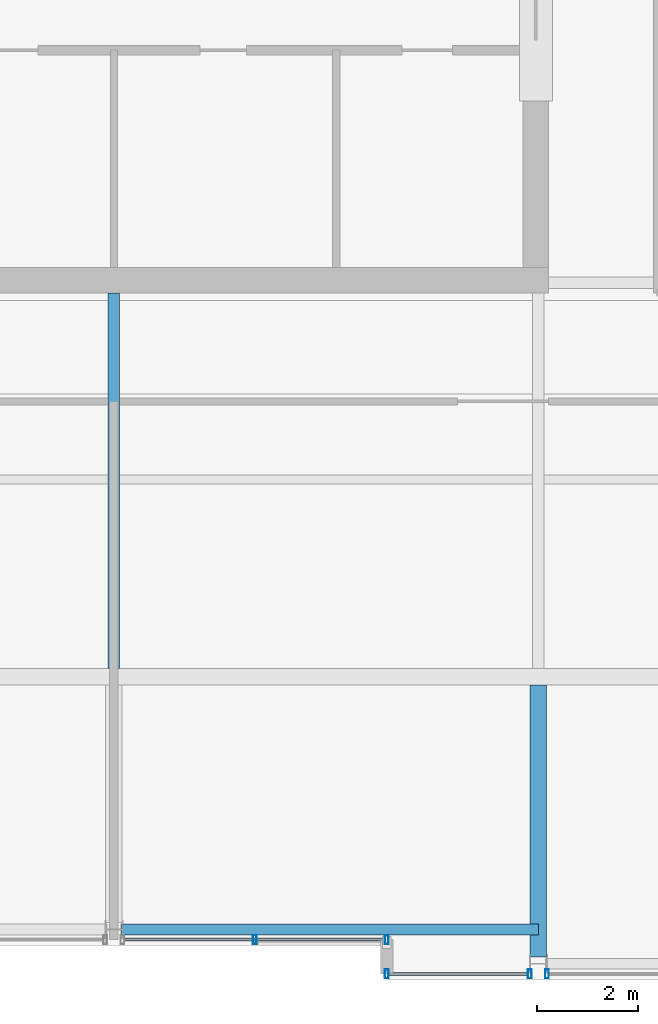
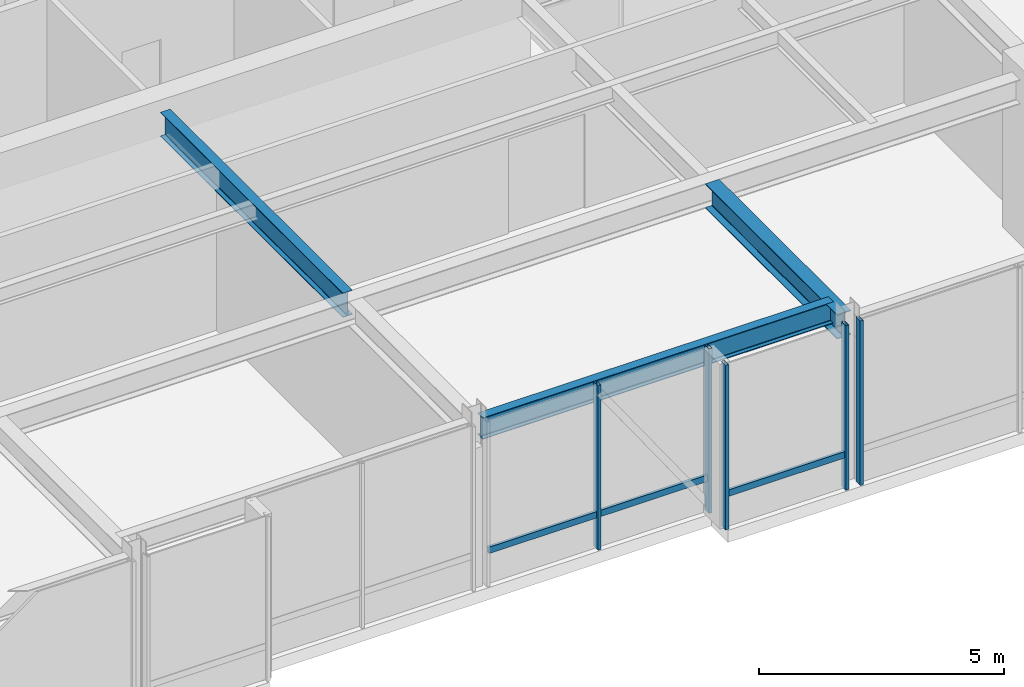
# One storey, part 10 of 34: 7 members, 3 beams, 3 elements without a shape of their own.
"""IFC4 building model written with IfcOpenShell, lengths in metres."""

from ifc_helpers import new_model, si_unit, direction, frame, origin, origin_2d, place, context, subcontext, project, spatial, hollow_rectangle, i_section, extrude, material, layer, layer_set, material_profile, profile_set, type_object, element, aggregate, save


model = new_model("IFC4")

# Units and contexts
model_context = context("Model", 3, precision=1e-05, world=origin(), true_north=direction((0.0, 1.0)))
body_context = subcontext(model_context, "Body", "Model", "MODEL_VIEW")
ifc_project = project(units=[si_unit("LENGTHUNIT", "METRE"), si_unit("AREAUNIT", "SQUARE_METRE"), si_unit("VOLUMEUNIT", "CUBIC_METRE"), si_unit("PLANEANGLEUNIT", "RADIAN"), si_unit("MASSUNIT", "GRAM", prefix="KILO")], contexts=[model_context])

# Site, building, storey
site_placement = place(None, origin())
site = spatial("IfcSite", under=ifc_project, at=site_placement, CompositionType="ELEMENT")
building_placement = place(site_placement, origin())
building = spatial("IfcBuilding", under=site, at=building_placement, Name="Drelvath Grand Hotel", CompositionType="ELEMENT")
storey_placement = place(building_placement, frame((0.0, 0.0, 294.199951171875)))
storey = spatial("IfcBuildingStorey", under=building, at=storey_placement, Name="L77", CompositionType="ELEMENT", Elevation=294.199951171875)

# Curtain wall, member
ifc_material_1 = material(Name="Platinum-Mist Anodised Aluminium Frame", Category="aluminium")
ifc_layer = layer(ifc_material_1, 0.199951171875)
ifc_layer_set = layer_set([ifc_layer], Name="Platinum-Mist Anodised Aluminium Frame")
curtain_wall_type = type_object("IfcCurtainWallType", Name="Stick Curtain Wall CW-05 Platinum Mist High-Rise", PredefinedType="NOTDEFINED", material=ifc_layer_set)
curtain_wall_1_placement = place(storey_placement, origin())
curtain_wall_1 = element("IfcCurtainWall", 1, at=curtain_wall_1_placement, inside=storey, type_object=curtain_wall_type, Name="L77 CW-05 Curtain Wall CW05-L77-SE1", PredefinedType="NOTDEFINED")
ifc_material_profile_1 = material_profile(ifc_material_1, hollow_rectangle(XDim=0.06494140625, YDim=0.159912109375, WallThickness=0.00390625, at=origin_2d()), Name="HSS160X65X4")
ifc_profile_set_1 = profile_set([ifc_material_profile_1], Name="Platinum-Mist Anodised Aluminium Frame")
member_type_1 = type_object("IfcMemberType", Name="Curtain Wall Horizontal Transom CW-05 HSS160X65X4", PredefinedType="USERDEFINED", material=ifc_profile_set_1)
member_1_placement = place(storey_placement, frame((8.18994140625, 4.919921875, 0.85009765625), z_axis=(-1.0, 0.0, 0.0), x_axis=(0.0, -1.0, 0.0)))
member_1 = element("IfcMember", 2, at=member_1_placement, type_object=member_type_1, Name="CW05-L77-SE1 Sill Transom", ObjectType="TRANSOM", PredefinedType="USERDEFINED", context=body_context, shape_type="SweptSolid", body=[
    extrude(hollow_rectangle(XDim=0.06494140625, YDim=0.159912109375, WallThickness=0.00390625, at=origin_2d()), origin(), (0.0, 0.0, 1.0), 2.75),
])

curtain_wall_2_placement = place(storey_placement, origin())
curtain_wall_2 = element("IfcCurtainWall", 3, at=curtain_wall_2_placement, inside=storey, type_object=curtain_wall_type, Name="L77 CW-05 Curtain Wall CW05-L77-SM2", PredefinedType="NOTDEFINED")
member_2_placement = place(storey_placement, frame((5.360107421875, 5.60009765625, 0.85009765625), z_axis=(-1.0, 0.0, 0.0), x_axis=(0.0, -1.0, 0.0)))
member_2 = element("IfcMember", 4, at=member_2_placement, type_object=member_type_1, Name="CW05-L77-SM2 Sill Transom", ObjectType="TRANSOM", PredefinedType="USERDEFINED", context=body_context, shape_type="SweptSolid", body=[
    extrude(hollow_rectangle(XDim=0.06494140625, YDim=0.159912109375, WallThickness=0.00390625, at=origin_2d()), origin(), (0.0, 0.0, 1.0), 5.14990234375),
])

# Member
ifc_material_profile_2 = material_profile(ifc_material_1, hollow_rectangle(XDim=0.074951171875, YDim=0.179931640625, WallThickness=0.0048828125, at=origin_2d()), Name="HSS180X75X5")
ifc_profile_set_2 = profile_set([ifc_material_profile_2], Name="Platinum-Mist Anodised Aluminium Frame")
member_type_2 = type_object("IfcMemberType", Name="Curtain Wall Vertical Mullion CW-05 HSS180X75X5", PredefinedType="MULLION", material=ifc_profile_set_2)
member_3_placement = place(storey_placement, frame((8.22998046875, 4.919921875, 0.0), z_axis=(0.0, 0.0, 1.0), x_axis=(1.0, 0.0, 0.0)))
member_3 = element("IfcMember", 5, at=member_3_placement, type_object=member_type_2, Name="CW05-L77-SE1 Mullion 1", PredefinedType="MULLION", context=body_context, shape_type="SweptSolid", body=[
    extrude(hollow_rectangle(XDim=0.074951171875, YDim=0.179931640625, WallThickness=0.0048828125, at=origin_2d()), origin(), (0.0, 0.0, 1.0), 4.10009765625),
])

member_4_placement = place(storey_placement, frame((5.39990234375, 4.919921875, 0.0), z_axis=(0.0, 0.0, 1.0), x_axis=(1.0, 0.0, 0.0)))
member_4 = element("IfcMember", 6, at=member_4_placement, type_object=member_type_2, Name="CW05-L77-SE1 Mullion 2", PredefinedType="MULLION", context=body_context, shape_type="SweptSolid", body=[
    extrude(hollow_rectangle(XDim=0.074951171875, YDim=0.179931640625, WallThickness=0.0048828125, at=origin_2d()), origin(), (0.0, 0.0, 1.0), 4.10009765625),
])

aggregate(curtain_wall_1, [member_3, member_4, member_1])

# Curtain wall, member
curtain_wall_3_placement = place(storey_placement, origin())
curtain_wall_3 = element("IfcCurtainWall", 7, at=curtain_wall_3_placement, inside=storey, type_object=curtain_wall_type, Name="L77 CW-05 Curtain Wall CW05-L77-SE2", PredefinedType="NOTDEFINED")
member_5_placement = place(storey_placement, frame((8.570068359375, 4.919921875, 0.0), z_axis=(0.0, 0.0, 1.0), x_axis=(1.0, 0.0, 0.0)))
member_5 = element("IfcMember", 8, at=member_5_placement, type_object=member_type_2, Name="CW05-L77-SE2 Mullion 3", PredefinedType="MULLION", context=body_context, shape_type="SweptSolid", body=[
    extrude(hollow_rectangle(XDim=0.074951171875, YDim=0.179931640625, WallThickness=0.0048828125, at=origin_2d()), origin(), (0.0, 0.0, 1.0), 4.10009765625),
])
aggregate(curtain_wall_3, [member_5])

# Member
member_6_placement = place(storey_placement, frame((5.39990234375, 5.60009765625, 0.0), z_axis=(0.0, 0.0, 1.0), x_axis=(1.0, 0.0, 0.0)))
member_6 = element("IfcMember", 9, at=member_6_placement, type_object=member_type_2, Name="CW05-L77-SM2 Mullion 1", PredefinedType="MULLION", context=body_context, shape_type="SweptSolid", body=[
    extrude(hollow_rectangle(XDim=0.074951171875, YDim=0.179931640625, WallThickness=0.0048828125, at=origin_2d()), origin(), (0.0, 0.0, 1.0), 4.10009765625),
])

member_7_placement = place(storey_placement, frame((2.78515625, 5.60009765625, 0.0), z_axis=(0.0, 0.0, 1.0), x_axis=(1.0, 0.0, 0.0)))
member_7 = element("IfcMember", 10, at=member_7_placement, type_object=member_type_2, Name="CW05-L77-SM2 Mullion 2", PredefinedType="MULLION", context=body_context, shape_type="SweptSolid", body=[
    extrude(hollow_rectangle(XDim=0.074951171875, YDim=0.179931640625, WallThickness=0.0048828125, at=origin_2d()), origin(), (0.0, 0.0, 1.0), 4.10009765625),
])

aggregate(curtain_wall_2, [member_6, member_7, member_2])

# Beams
ifc_material_2 = material(Name="Steel ASTM A992 Gr 50", Category="steel")
ifc_material_profile_3 = material_profile(ifc_material_2, i_section(OverallWidth=0.210205078125, OverallDepth=0.53662109375, WebThickness=0.010986328125, FlangeThickness=0.017333984375, FilletRadius=0.01806640625, at=origin_2d()), Name="W21X68")
ifc_profile_set_3 = profile_set([ifc_material_profile_3], Name="Steel ASTM A992 Gr 50")
beam_type_1 = type_object("IfcBeamType", Name="Perimeter Spandrel Beam W21X68", PredefinedType="SPANDREL", material=ifc_profile_set_3)
beam_1_placement = place(storey_placement, frame((0.139892578125, 5.800048828125, 3.831787109375), z_axis=(1.0, 0.0, 0.0), x_axis=(0.0, 1.0, 0.0)))
element("IfcBeam", 11, at=beam_1_placement, inside=storey, type_object=beam_type_1, Name="L77 Spandrel South Mid E", PredefinedType="SPANDREL", context=body_context, shape_type="SweptSolid", body=[
    extrude(i_section(OverallWidth=0.210205078125, OverallDepth=0.53662109375, WebThickness=0.010986328125, FlangeThickness=0.017333984375, FilletRadius=0.01806640625, at=origin_2d()), origin(), (0.0, 0.0, 1.0), 8.260009765625),
])
ifc_material_profile_4 = material_profile(ifc_material_2, i_section(OverallWidth=0.323974609375, OverallDepth=0.611083984375, WebThickness=0.0126953125, FlangeThickness=0.01904296875, FilletRadius=0.02197265625, at=origin_2d()), Name="W24X104")
ifc_profile_set_4 = profile_set([ifc_material_profile_4], Name="Steel ASTM A992 Gr 50")
beam_type_2 = type_object("IfcBeamType", Name="Primary Floor Girder W24X104", PredefinedType="BEAM", material=ifc_profile_set_4)
beam_2_placement = place(storey_placement, frame((8.39990234375, 5.260009765625, 3.79443359375), z_axis=(0.0, 1.0, 0.0), x_axis=(-1.0, 0.0, 0.0)))
element("IfcBeam", 12, at=beam_2_placement, inside=storey, type_object=beam_type_2, Name="L77 South Wing Girder 6", PredefinedType="BEAM", context=body_context, shape_type="SweptSolid", body=[
    extrude(i_section(OverallWidth=0.323974609375, OverallDepth=0.611083984375, WebThickness=0.0126953125, FlangeThickness=0.01904296875, FilletRadius=0.02197265625, at=origin_2d()), origin(), (0.0, 0.0, 1.0), 5.3779296875),
])
ifc_material_profile_5 = material_profile(ifc_material_2, i_section(OverallWidth=0.228271484375, OverallDepth=0.607666015625, WebThickness=0.01123046875, FlangeThickness=0.017333984375, FilletRadius=0.02001953125, at=origin_2d()), Name="W24X76")
ifc_profile_set_5 = profile_set([ifc_material_profile_5], Name="Steel ASTM A992 Gr 50")
beam_type_3 = type_object("IfcBeamType", Name="Primary Floor Girder W24X76", PredefinedType="BEAM", material=ifc_profile_set_5)
beam_3_placement = place(storey_placement, frame((0.0, 10.9619140625, 3.796142578125), z_axis=(0.0, 1.0, 0.0), x_axis=(-1.0, 0.0, 0.0)))
element("IfcBeam", 13, at=beam_3_placement, inside=storey, type_object=beam_type_3, Name="L77 South Core Tie 5", PredefinedType="BEAM", context=body_context, shape_type="SweptSolid", body=[
    extrude(i_section(OverallWidth=0.228271484375, OverallDepth=0.607666015625, WebThickness=0.01123046875, FlangeThickness=0.017333984375, FilletRadius=0.02001953125, at=origin_2d()), origin(), (0.0, 0.0, 1.0), 7.43798828125),
])

save(model, "model.ifc")
